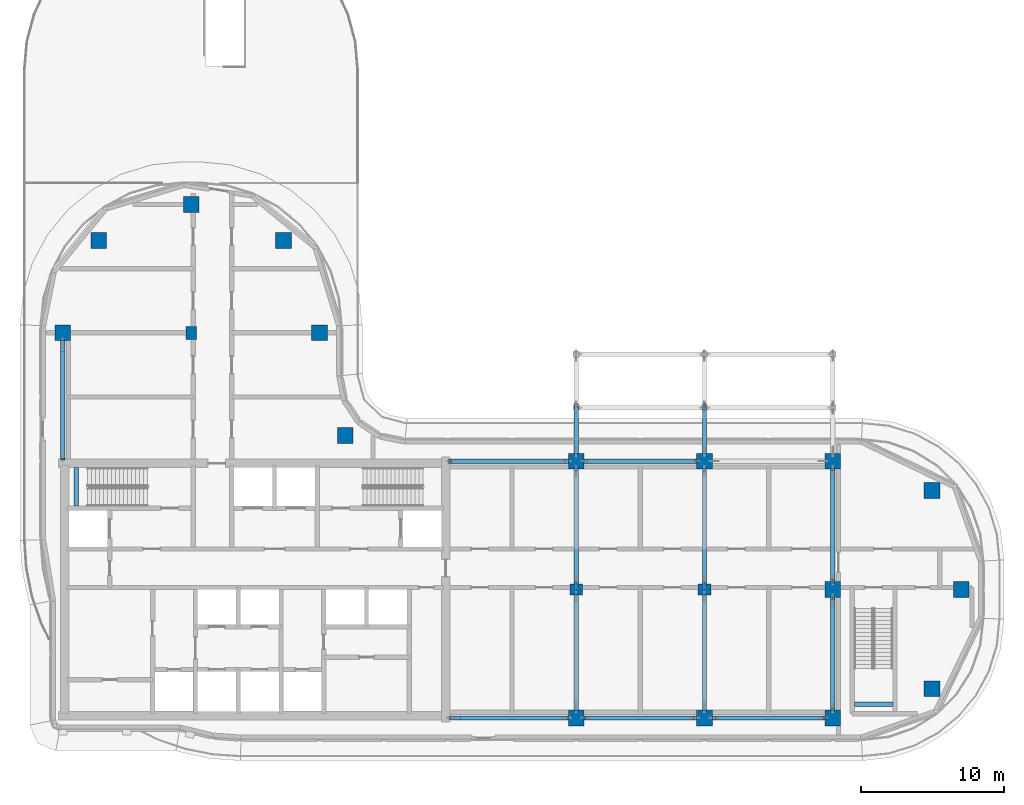
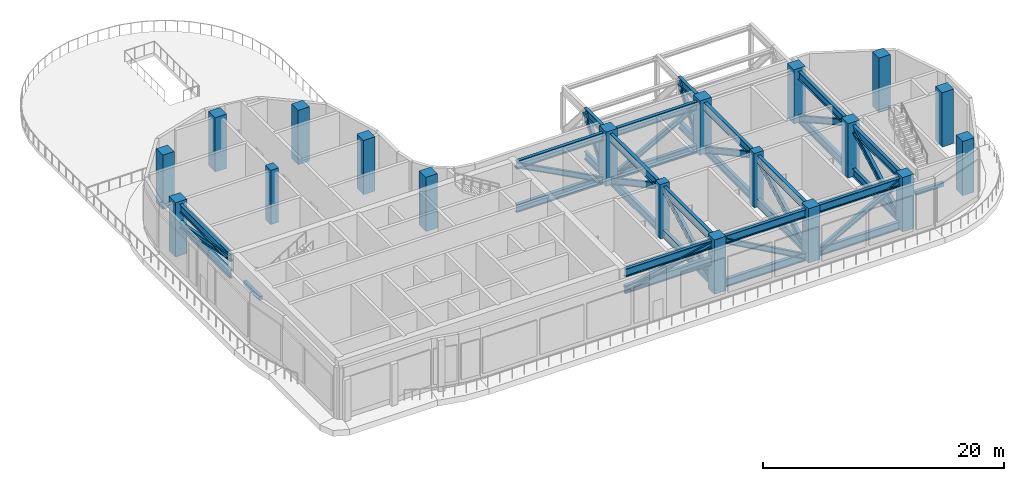
# One storey, part 1 of 18: 42 members, 19 columns, 2 beams.
"""IFC4 building model written with IfcOpenShell, lengths in metres."""

from ifc_helpers import new_model, si_unit, direction, frame, origin, origin_2d, place, context, subcontext, project, spatial, rectangle, i_section, extrude, material, material_profile, profile_set, type_object, element, save


model = new_model("IFC4")

# Units and contexts
model_context = context("Model", 3, precision=1e-05, world=origin(), true_north=direction((0.0, 1.0)))
body_context = subcontext(model_context, "Body", "Model", "MODEL_VIEW")
ifc_project = project(units=[si_unit("LENGTHUNIT", "METRE"), si_unit("AREAUNIT", "SQUARE_METRE"), si_unit("VOLUMEUNIT", "CUBIC_METRE"), si_unit("PLANEANGLEUNIT", "RADIAN"), si_unit("MASSUNIT", "GRAM", prefix="KILO")], contexts=[model_context])

# Site, building, storey
site_placement = place(None, origin())
site = spatial("IfcSite", under=ifc_project, at=site_placement, CompositionType="ELEMENT")
building_placement = place(site_placement, origin())
building = spatial("IfcBuilding", under=site, at=building_placement, Name="Ogive Portal Towers", CompositionType="ELEMENT")
storey_placement = place(building_placement, frame((0.0, 0.0, 190.300048828125)))
storey = spatial("IfcBuildingStorey", under=building, at=storey_placement, Name="L47", CompositionType="ELEMENT", Elevation=190.300048828125)

# Columns
ifc_material_1 = material(Name="Concrete C60/75", Category="concrete")
ifc_material_profile_1 = material_profile(ifc_material_1, rectangle(XDim=1.10009765625, YDim=1.10009765625, at=origin_2d()), Name="RC 1100x1100")
ifc_profile_set_1 = profile_set([ifc_material_profile_1], Name="Concrete C60/75")
column_type_1 = type_object("IfcColumnType", Name="COLUMN RC 1100x1100", PredefinedType="COLUMN", material=ifc_profile_set_1)
for number, where, z_axis, x_axis, name in (
    (1, (67.5, 21.5, 0.0), (0.0, 0.0, 1.0), (1.0, 0.0, 0.0), "Column 5/A L47"),
    (2, (76.5, 21.5, 0.0), (0.0, 0.0, 1.0), (1.0, 0.0, 0.0), "Column 6/A L47"),
    (3, (85.5, 21.5, 0.0), (0.0, 0.0, 1.0), (1.0, 0.0, 0.0), "Column 7/A L47"),
    (4, (92.449951171875, 23.550048828125, 0.0), (0.0, 0.0, 1.0), (1.0, 0.0, 0.0), "Column L47"),
    (5, (85.5, 30.5, 0.0), (0.0, 0.0, 1.0), (1.0, 0.0, 0.0), "Column 7/B L47"),
    (6, (94.5, 30.5, 0.0), (0.0, 0.0, 1.0), (1.0, 0.0, 0.0), "Column 8/B L47"),
    (7, (92.449951171875, 37.449951171875, 0.0), (0.0, 0.0, 1.0), (1.0, 0.0, 0.0), "Column L47"),
    (8, (67.5, 39.5, 0.0), (0.0, 0.0, 1.0), (1.0, 0.0, 0.0), "Column 5/C L47"),
    (9, (76.5, 39.5, 0.0), (0.0, 0.0, 1.0), (1.0, 0.0, 0.0), "Column 6/C L47"),
    (10, (85.5, 39.5, 0.0), (0.0, 0.0, 1.0), (1.0, 0.0, 0.0), "Column 7/C L47"),
    (11, (51.31005859375, 41.31005859375, 0.0), (0.0, 0.0, 1.0), (1.0, 0.0, 0.0), "Column L47"),
    (12, (31.5, 48.5, 0.0), (0.0, 0.0, 1.0), (1.0, 0.0, 0.0), "Column 1/D L47"),
    (13, (49.5, 48.5, 0.0), (0.0, 0.0, 1.0), (1.0, 0.0, 0.0), "Column 3/D L47"),
    (14, (34.027099609375, 54.972900390625, 0.0), (0.0, 0.0, 1.0), (1.0, 0.0, 0.0), "Column L47"),
    (15, (46.972900390625, 54.972900390625, 0.0), (0.0, 0.0, 1.0), (1.0, 0.0, 0.0), "Column L47"),
    (16, (40.5, 57.5, 0.0), (0.0, 0.0, 1.0), (1.0, 0.0, 0.0), "Column 2/E L47"),
):
    element("IfcColumn", number, at=place(storey_placement, frame(where, z_axis=z_axis, x_axis=x_axis)), inside=storey, type_object=column_type_1, Name=name, PredefinedType="COLUMN", context=body_context, shape_type="SweptSolid", body=[
        extrude(rectangle(XDim=1.10009765625, YDim=1.10009765625, at=origin_2d()), origin(), (0.0, 0.0, 1.0), 5.5),
    ])
ifc_material_profile_2 = material_profile(ifc_material_1, rectangle(XDim=0.89990234375, YDim=0.75, at=origin_2d()), Name="RC 900x750")
ifc_profile_set_2 = profile_set([ifc_material_profile_2], Name="Concrete C60/75")
column_type_2 = type_object("IfcColumnType", Name="COLUMN RC 900x750", PredefinedType="COLUMN", material=ifc_profile_set_2)
for number, where, z_axis, x_axis, name in (
    (17, (67.5, 30.5, 0.0), (0.0, 0.0, 1.0), (1.0, 0.0, 0.0), "Column 5/B L47"),
    (18, (76.5, 30.5, 0.0), (0.0, 0.0, 1.0), (1.0, 0.0, 0.0), "Column 6/B L47"),
    (19, (40.5, 48.5, 0.0), (0.0, 0.0, 1.0), (0.0, 1.0, 0.0), "Column 2/D L47"),
):
    element("IfcColumn", number, at=place(storey_placement, frame(where, z_axis=z_axis, x_axis=x_axis)), inside=storey, type_object=column_type_2, Name=name, PredefinedType="COLUMN", context=body_context, shape_type="SweptSolid", body=[
        extrude(rectangle(XDim=0.89990234375, YDim=0.75, at=origin_2d()), origin(), (0.0, 0.0, 1.0), 5.5),
    ])

# Beams
ifc_material_2 = material(Name="Concrete C40/50", Category="concrete")
ifc_material_profile_3 = material_profile(ifc_material_2, rectangle(XDim=0.300048828125, YDim=0.39990234375, at=origin_2d()), Name="RC 300x400")
ifc_profile_set_3 = profile_set([ifc_material_profile_3], Name="Concrete C40/50")
beam_type = type_object("IfcBeamType", Name="BEAM RC 300x400", PredefinedType="BEAM", material=ifc_profile_set_3)
for number, where, z_axis, x_axis, name in (
    (20, (32.449951171875, 36.35009765625, 2.349853515625), (0.0, 1.0, 0.0), (-1.0, 0.0, 0.0), "Landing beam L47"),
    (21, (87.0, 22.449951171875, 2.349853515625), (1.0, 0.0, 0.0), (0.0, 1.0, 0.0), "Landing beam L47"),
):
    element("IfcBeam", number, at=place(storey_placement, frame(where, z_axis=z_axis, x_axis=x_axis)), inside=storey, type_object=beam_type, Name=name, PredefinedType="BEAM", context=body_context, shape_type="SweptSolid", body=[
        extrude(rectangle(XDim=0.300048828125, YDim=0.39990234375, at=origin_2d()), origin(), (0.0, 0.0, 1.0), 2.699951171875),
    ])

# Members
ifc_material_3 = material(Name="Steel S355", Category="steel")
ifc_material_profile_4 = material_profile(ifc_material_3, i_section(OverallWidth=0.300048828125, OverallDepth=0.5, WebThickness=0.014404296875, FlangeThickness=0.028076171875, FilletRadius=0.027099609375, at=origin_2d()), Name="HEB 500")
ifc_profile_set_4 = profile_set([ifc_material_profile_4], Name="Steel S355")
member_type_1 = type_object("IfcMemberType", Name="BRACE HEB 500", PredefinedType="BRACE", material=ifc_profile_set_4)
for number, where, z_axis, x_axis, name in (
    (22, (68.050048828125, 21.5, 4.79296875), (0.874291065023, 0.0, -0.485402032979), (0.0, 1.0, 0.0), "Outrigger diagonal"),
    (23, (77.050048828125, 21.5, 0.406982421875), (0.874291065023, 0.0, 0.485402032979), (0.0, 1.0, 0.0), "Outrigger diagonal"),
    (24, (75.949951171875, 39.5, 4.79296875), (-0.874291065023, 0.0, -0.485402032979), (0.0, -1.0, 0.0), "Outrigger diagonal"),
):
    element("IfcMember", number, at=place(storey_placement, frame(where, z_axis=z_axis, x_axis=x_axis)), inside=storey, type_object=member_type_1, Name=name, PredefinedType="BRACE", context=body_context, shape_type="SweptSolid", body=[
        extrude(i_section(OverallWidth=0.300048828125, OverallDepth=0.5, WebThickness=0.014404296875, FlangeThickness=0.028076171875, FilletRadius=0.027099609375, at=origin_2d()), origin(), (0.0, 0.0, 1.0), 9.035888671875),
    ])
member_1_placement = place(storey_placement, frame((66.949951171875, 39.5, 0.406982421875), z_axis=(-0.884146968791, 0.0, 0.467208880029), x_axis=(0.0, -1.0, 0.0)))
element("IfcMember", 25, at=member_1_placement, inside=storey, type_object=member_type_1, Name="Outrigger diagonal", PredefinedType="BRACE", context=body_context, shape_type="SweptSolid", body=[
    extrude(i_section(OverallWidth=0.300048828125, OverallDepth=0.5, WebThickness=0.014404296875, FlangeThickness=0.028076171875, FilletRadius=0.027099609375, at=origin_2d()), origin(), (0.0, 0.0, 1.0), 9.3876953125),
])
for number, where, z_axis, x_axis, name in (
    (26, (58.64990234375, 21.5, 3.10693359375), (0.979985298695, 0.0, 0.199069873012), (0.0, 1.0, 0.0), "Outrigger diagonal"),
    (27, (31.5, 47.949951171875, 3.10693359375), (0.0, -0.979985298695, 0.199069873012), (1.0, 0.0, 0.0), "Outrigger diagonal"),
):
    element("IfcMember", number, at=place(storey_placement, frame(where, z_axis=z_axis, x_axis=x_axis)), inside=storey, type_object=member_type_1, Name=name, PredefinedType="BRACE", context=body_context, shape_type="SweptSolid", body=[
        extrude(i_section(OverallWidth=0.300048828125, OverallDepth=0.5, WebThickness=0.014404296875, FlangeThickness=0.028076171875, FilletRadius=0.027099609375, at=origin_2d()), origin(), (0.0, 0.0, 1.0), 8.469482421875),
    ])
ifc_material_profile_5 = material_profile(ifc_material_3, i_section(OverallWidth=0.300048828125, OverallDepth=0.60009765625, WebThickness=0.015380859375, FlangeThickness=0.030029296875, FilletRadius=0.027099609375, at=origin_2d()), Name="HEB 600")
ifc_profile_set_5 = profile_set([ifc_material_profile_5], Name="Steel S355")
member_type_2 = type_object("IfcMemberType", Name="BRACE HEB 600", PredefinedType="BRACE", material=ifc_profile_set_5)
for number, where, z_axis, x_axis, name in (
    (28, (67.5, 22.050048828125, 0.406982421875), (0.0, 0.87874200904, 0.477297057971), (-1.0, 0.0, 0.0), "Sky pool truss diagonal"),
    (29, (67.5, 30.875, 4.79296875), (0.0, 0.87874200904, -0.477297057971), (-1.0, 0.0, 0.0), "Sky pool truss diagonal"),
):
    element("IfcMember", number, at=place(storey_placement, frame(where, z_axis=z_axis, x_axis=x_axis)), inside=storey, type_object=member_type_2, Name=name, PredefinedType="BRACE", context=body_context, shape_type="SweptSolid", body=[
        extrude(i_section(OverallWidth=0.300048828125, OverallDepth=0.60009765625, WebThickness=0.015380859375, FlangeThickness=0.030029296875, FilletRadius=0.027099609375, at=origin_2d()), origin(), (0.0, 0.0, 1.0), 9.189208984375),
    ])
member_2_placement = place(storey_placement, frame((67.5, 40.050048828125, 0.406982421875), z_axis=(0.0, 0.595360168305, 0.803458941076), x_axis=(-1.0, 0.0, 0.0)))
element("IfcMember", 30, at=member_2_placement, inside=storey, type_object=member_type_2, Name="Sky pool truss diagonal", PredefinedType="BRACE", context=body_context, shape_type="SweptSolid", body=[
    extrude(i_section(OverallWidth=0.300048828125, OverallDepth=0.60009765625, WebThickness=0.015380859375, FlangeThickness=0.030029296875, FilletRadius=0.027099609375, at=origin_2d()), origin(), (0.0, 0.0, 1.0), 5.458984375),
])
for number, where, z_axis, x_axis, name in (
    (31, (76.5, 22.050048828125, 0.406982421875), (0.0, 0.87874200904, 0.477297057971), (-1.0, 0.0, 0.0), "Sky pool truss diagonal"),
    (32, (76.5, 30.875, 4.79296875), (0.0, 0.87874200904, -0.477297057971), (-1.0, 0.0, 0.0), "Sky pool truss diagonal"),
):
    element("IfcMember", number, at=place(storey_placement, frame(where, z_axis=z_axis, x_axis=x_axis)), inside=storey, type_object=member_type_2, Name=name, PredefinedType="BRACE", context=body_context, shape_type="SweptSolid", body=[
        extrude(i_section(OverallWidth=0.300048828125, OverallDepth=0.60009765625, WebThickness=0.015380859375, FlangeThickness=0.030029296875, FilletRadius=0.027099609375, at=origin_2d()), origin(), (0.0, 0.0, 1.0), 9.189208984375),
    ])
member_3_placement = place(storey_placement, frame((76.5, 40.050048828125, 0.406982421875), z_axis=(0.0, 0.595360168305, 0.803458941076), x_axis=(-1.0, 0.0, 0.0)))
element("IfcMember", 33, at=member_3_placement, inside=storey, type_object=member_type_2, Name="Sky pool truss diagonal", PredefinedType="BRACE", context=body_context, shape_type="SweptSolid", body=[
    extrude(i_section(OverallWidth=0.300048828125, OverallDepth=0.60009765625, WebThickness=0.015380859375, FlangeThickness=0.030029296875, FilletRadius=0.027099609375, at=origin_2d()), origin(), (0.0, 0.0, 1.0), 5.458984375),
])
for number, where, z_axis, x_axis, name in (
    (34, (85.5, 22.050048828125, 0.406982421875), (0.0, 0.874291065023, 0.485402032979), (-1.0, 0.0, 0.0), "Sky pool truss diagonal"),
    (35, (85.5, 31.050048828125, 4.79296875), (0.0, 0.874291065023, -0.485402032979), (-1.0, 0.0, 0.0), "Sky pool truss diagonal"),
):
    element("IfcMember", number, at=place(storey_placement, frame(where, z_axis=z_axis, x_axis=x_axis)), inside=storey, type_object=member_type_2, Name=name, PredefinedType="BRACE", context=body_context, shape_type="SweptSolid", body=[
        extrude(i_section(OverallWidth=0.300048828125, OverallDepth=0.60009765625, WebThickness=0.015380859375, FlangeThickness=0.030029296875, FilletRadius=0.027099609375, at=origin_2d()), origin(), (0.0, 0.0, 1.0), 9.035888671875),
    ])
ifc_material_profile_6 = material_profile(ifc_material_3, i_section(OverallWidth=0.302978515625, OverallDepth=0.81396484375, WebThickness=0.02099609375, FlangeThickness=0.0400390625, FilletRadius=0.030029296875, at=origin_2d()), Name="HEM 800")
ifc_profile_set_6 = profile_set([ifc_material_profile_6], Name="Steel S355")
member_type_3 = type_object("IfcMemberType", Name="CHORD HEM 800", PredefinedType="CHORD", material=ifc_profile_set_6)
for number, where, z_axis, x_axis, name in (
    (36, (68.050048828125, 21.5, 0.406982421875), (1.0, 0.0, 0.0), (0.0, 1.0, 0.0), "Outrigger bottom chord"),
    (37, (68.050048828125, 21.5, 4.79296875), (1.0, 0.0, 0.0), (0.0, 1.0, 0.0), "Outrigger top chord"),
    (38, (77.050048828125, 21.5, 0.406982421875), (1.0, 0.0, 0.0), (0.0, 1.0, 0.0), "Outrigger bottom chord"),
    (39, (77.050048828125, 21.5, 4.79296875), (1.0, 0.0, 0.0), (0.0, 1.0, 0.0), "Outrigger top chord"),
    (40, (75.949951171875, 39.5, 0.406982421875), (-1.0, 0.0, 0.0), (0.0, -1.0, 0.0), "Outrigger bottom chord"),
    (41, (75.949951171875, 39.5, 4.79296875), (-1.0, 0.0, 0.0), (0.0, -1.0, 0.0), "Outrigger top chord"),
):
    element("IfcMember", number, at=place(storey_placement, frame(where, z_axis=z_axis, x_axis=x_axis)), inside=storey, type_object=member_type_3, Name=name, PredefinedType="CHORD", context=body_context, shape_type="SweptSolid", body=[
        extrude(i_section(OverallWidth=0.302978515625, OverallDepth=0.81396484375, WebThickness=0.02099609375, FlangeThickness=0.0400390625, FilletRadius=0.030029296875, at=origin_2d()), origin(), (0.0, 0.0, 1.0), 7.89990234375),
    ])
for number, where, z_axis, x_axis, name in (
    (42, (66.949951171875, 39.5, 0.406982421875), (-1.0, 0.0, 0.0), (0.0, -1.0, 0.0), "Outrigger bottom chord"),
    (43, (66.949951171875, 39.5, 4.79296875), (-1.0, 0.0, 0.0), (0.0, -1.0, 0.0), "Outrigger top chord"),
):
    element("IfcMember", number, at=place(storey_placement, frame(where, z_axis=z_axis, x_axis=x_axis)), inside=storey, type_object=member_type_3, Name=name, PredefinedType="CHORD", context=body_context, shape_type="SweptSolid", body=[
        extrude(i_section(OverallWidth=0.302978515625, OverallDepth=0.81396484375, WebThickness=0.02099609375, FlangeThickness=0.0400390625, FilletRadius=0.030029296875, at=origin_2d()), origin(), (0.0, 0.0, 1.0), 8.300048828125),
    ])
for number, where, z_axis, x_axis, name in (
    (44, (67.5, 22.050048828125, 0.406982421875), (0.0, 1.0, 0.0), (-1.0, 0.0, 0.0), "Sky pool truss bottom chord"),
    (45, (67.5, 22.050048828125, 4.79296875), (0.0, 1.0, 0.0), (-1.0, 0.0, 0.0), "Sky pool truss top chord"),
    (46, (67.5, 30.875, 0.406982421875), (0.0, 1.0, 0.0), (-1.0, 0.0, 0.0), "Sky pool truss bottom chord"),
    (47, (67.5, 30.875, 4.79296875), (0.0, 1.0, 0.0), (-1.0, 0.0, 0.0), "Sky pool truss top chord"),
):
    element("IfcMember", number, at=place(storey_placement, frame(where, z_axis=z_axis, x_axis=x_axis)), inside=storey, type_object=member_type_3, Name=name, PredefinedType="CHORD", context=body_context, shape_type="SweptSolid", body=[
        extrude(i_section(OverallWidth=0.302978515625, OverallDepth=0.81396484375, WebThickness=0.02099609375, FlangeThickness=0.0400390625, FilletRadius=0.030029296875, at=origin_2d()), origin(), (0.0, 0.0, 1.0), 8.074951171875),
    ])
for number, where, z_axis, x_axis, name in (
    (48, (67.5, 40.050048828125, 0.406982421875), (0.0, 1.0, 0.0), (-1.0, 0.0, 0.0), "Sky pool truss bottom chord"),
    (49, (67.5, 40.050048828125, 4.79296875), (0.0, 1.0, 0.0), (-1.0, 0.0, 0.0), "Sky pool truss top chord"),
):
    element("IfcMember", number, at=place(storey_placement, frame(where, z_axis=z_axis, x_axis=x_axis)), inside=storey, type_object=member_type_3, Name=name, PredefinedType="CHORD", context=body_context, shape_type="SweptSolid", body=[
        extrude(i_section(OverallWidth=0.302978515625, OverallDepth=0.81396484375, WebThickness=0.02099609375, FlangeThickness=0.0400390625, FilletRadius=0.030029296875, at=origin_2d()), origin(), (0.0, 0.0, 1.0), 3.25),
    ])
for number, where, z_axis, x_axis, name in (
    (50, (76.5, 22.050048828125, 0.406982421875), (0.0, 1.0, 0.0), (-1.0, 0.0, 0.0), "Sky pool truss bottom chord"),
    (51, (76.5, 22.050048828125, 4.79296875), (0.0, 1.0, 0.0), (-1.0, 0.0, 0.0), "Sky pool truss top chord"),
    (52, (76.5, 30.875, 0.406982421875), (0.0, 1.0, 0.0), (-1.0, 0.0, 0.0), "Sky pool truss bottom chord"),
    (53, (76.5, 30.875, 4.79296875), (0.0, 1.0, 0.0), (-1.0, 0.0, 0.0), "Sky pool truss top chord"),
):
    element("IfcMember", number, at=place(storey_placement, frame(where, z_axis=z_axis, x_axis=x_axis)), inside=storey, type_object=member_type_3, Name=name, PredefinedType="CHORD", context=body_context, shape_type="SweptSolid", body=[
        extrude(i_section(OverallWidth=0.302978515625, OverallDepth=0.81396484375, WebThickness=0.02099609375, FlangeThickness=0.0400390625, FilletRadius=0.030029296875, at=origin_2d()), origin(), (0.0, 0.0, 1.0), 8.074951171875),
    ])
for number, where, z_axis, x_axis, name in (
    (54, (76.5, 40.050048828125, 0.406982421875), (0.0, 1.0, 0.0), (-1.0, 0.0, 0.0), "Sky pool truss bottom chord"),
    (55, (76.5, 40.050048828125, 4.79296875), (0.0, 1.0, 0.0), (-1.0, 0.0, 0.0), "Sky pool truss top chord"),
):
    element("IfcMember", number, at=place(storey_placement, frame(where, z_axis=z_axis, x_axis=x_axis)), inside=storey, type_object=member_type_3, Name=name, PredefinedType="CHORD", context=body_context, shape_type="SweptSolid", body=[
        extrude(i_section(OverallWidth=0.302978515625, OverallDepth=0.81396484375, WebThickness=0.02099609375, FlangeThickness=0.0400390625, FilletRadius=0.030029296875, at=origin_2d()), origin(), (0.0, 0.0, 1.0), 3.25),
    ])
for number, where, z_axis, x_axis, name in (
    (56, (85.5, 22.050048828125, 0.406982421875), (0.0, 1.0, 0.0), (-1.0, 0.0, 0.0), "Sky pool truss bottom chord"),
    (57, (85.5, 22.050048828125, 4.79296875), (0.0, 1.0, 0.0), (-1.0, 0.0, 0.0), "Sky pool truss top chord"),
    (58, (85.5, 31.050048828125, 0.406982421875), (0.0, 1.0, 0.0), (-1.0, 0.0, 0.0), "Sky pool truss bottom chord"),
    (59, (85.5, 31.050048828125, 4.79296875), (0.0, 1.0, 0.0), (-1.0, 0.0, 0.0), "Sky pool truss top chord"),
):
    element("IfcMember", number, at=place(storey_placement, frame(where, z_axis=z_axis, x_axis=x_axis)), inside=storey, type_object=member_type_3, Name=name, PredefinedType="CHORD", context=body_context, shape_type="SweptSolid", body=[
        extrude(i_section(OverallWidth=0.302978515625, OverallDepth=0.81396484375, WebThickness=0.02099609375, FlangeThickness=0.0400390625, FilletRadius=0.030029296875, at=origin_2d()), origin(), (0.0, 0.0, 1.0), 7.89990234375),
    ])
for number, where, z_axis, x_axis, name in (
    (60, (58.64990234375, 21.5, 3.10693359375), (1.0, 0.0, 0.0), (0.0, 1.0, 0.0), "Outrigger bottom chord"),
    (61, (58.64990234375, 21.5, 4.79296875), (1.0, 0.0, 0.0), (0.0, 1.0, 0.0), "Outrigger top chord"),
    (62, (31.5, 47.949951171875, 3.10693359375), (0.0, -1.0, 0.0), (1.0, 0.0, 0.0), "Outrigger bottom chord"),
    (63, (31.5, 47.949951171875, 4.79296875), (0.0, -1.0, 0.0), (1.0, 0.0, 0.0), "Outrigger top chord"),
):
    element("IfcMember", number, at=place(storey_placement, frame(where, z_axis=z_axis, x_axis=x_axis)), inside=storey, type_object=member_type_3, Name=name, PredefinedType="CHORD", context=body_context, shape_type="SweptSolid", body=[
        extrude(i_section(OverallWidth=0.302978515625, OverallDepth=0.81396484375, WebThickness=0.02099609375, FlangeThickness=0.0400390625, FilletRadius=0.030029296875, at=origin_2d()), origin(), (0.0, 0.0, 1.0), 8.300048828125),
    ])

save(model, "model.ifc")
